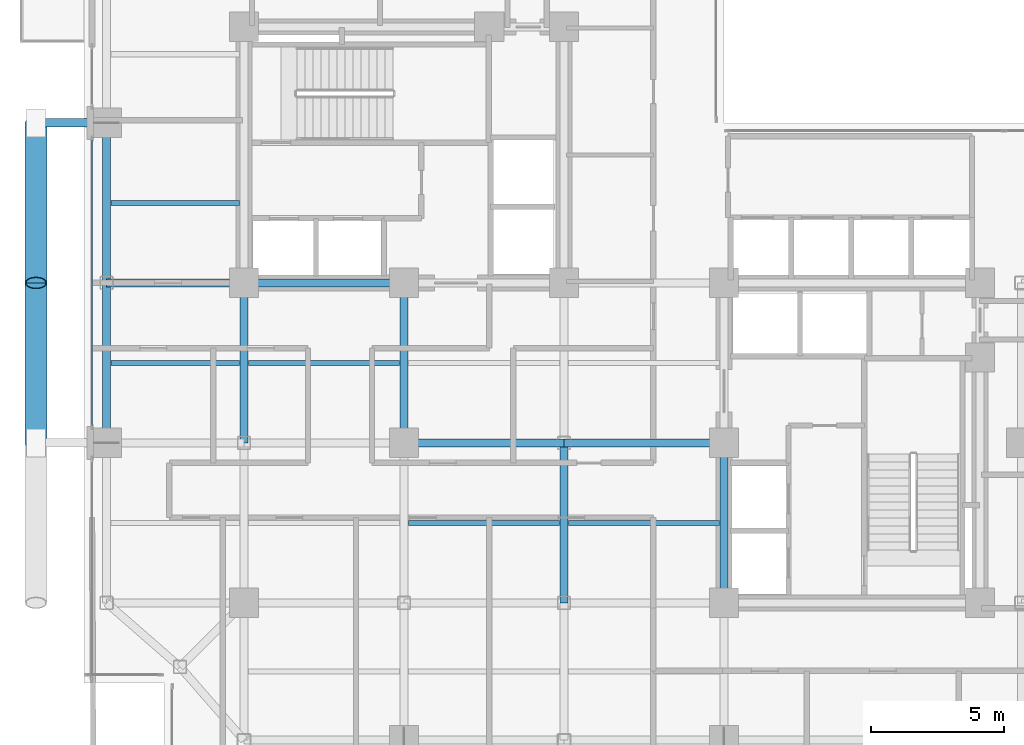
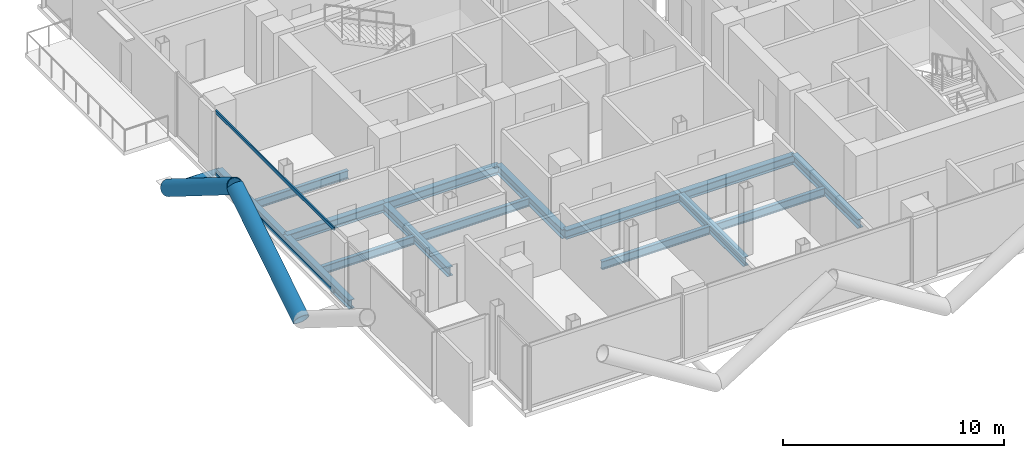
# One storey, part 6 of 28: 15 beams, 5 members, 1 element without a shape of its own.
"""IFC4 building model written with IfcOpenShell, lengths in metres."""

import ifcopenshell
import ifcopenshell.guid

model = None  # the IFC model being written
_history = None  # IfcOwnerHistory: only IFC2X3 demands one
_inside = {}  # id of a spatial element -> (the spatial element, [elements in it])
_under = {}  # id of a project, library or spatial element -> (it, [spatial elements below it])
_declared = {}  # id of a project -> (the project, [libraries it declares])
_typed = {}  # id of a type object -> (the type object, [elements of that type])
_made_of = {}  # id of a material, layer set ... -> (it, [elements and type objects made of it])


def new_model(schema):
    """Start an empty IFC model of exactly this schema.

    Asked for "IFC4X3", IfcOpenShell would pick the latest addendum, in which some entities
    have other attributes; the version numbers below select the first issue.
    IFC2X3 requires an IfcOwnerHistory on every rooted entity: one is made here for all.
    """
    global model, _history
    if schema == "IFC4X3":
        model = ifcopenshell.file(schema_version=(4, 3, 0, 0))
    else:
        model = ifcopenshell.file(schema=schema)
    _inside.clear()
    _under.clear()
    _declared.clear()
    _typed.clear()
    _made_of.clear()
    _history = None
    if model.schema == "IFC2X3":
        org = make("IfcOrganization", Name="unknown")
        user = make(
            "IfcPersonAndOrganization",
            ThePerson=make("IfcPerson", FamilyName="unknown"),
            TheOrganization=org,
        )
        app = make(
            "IfcApplication",
            ApplicationDeveloper=org,
            Version="unknown",
            ApplicationFullName="unknown",
            ApplicationIdentifier="unknown",
        )
        _history = make(
            "IfcOwnerHistory",
            OwningUser=user,
            OwningApplication=app,
            ChangeAction="ADDED",
            CreationDate=0,
        )
    return model


def make(cls, **values):
    """One entity of the class cls with the attributes given. An attribute that is None is left unset."""
    return model.create_entity(
        cls, **{name: value for name, value in values.items() if value is not None}
    )


def rooted(cls, **values):
    """An entity with a GlobalId (a new one), such as an element, a storey or a relation."""
    return make(cls, GlobalId=ifcopenshell.guid.new(), OwnerHistory=_history, **values)


def si_unit(unit_type, name, prefix=None):
    """IfcSIUnit, for example si_unit("LENGTHUNIT", "METRE", prefix="MILLI")."""
    return make("IfcSIUnit", UnitType=unit_type, Prefix=prefix, Name=name)


def assignment(units):
    """IfcUnitAssignment: the units of a project."""
    return None if units is None else make("IfcUnitAssignment", Units=units)


def point(xyz):
    """IfcCartesianPoint."""
    return None if xyz is None else make("IfcCartesianPoint", Coordinates=xyz)


def direction(xyz):
    """IfcDirection."""
    return None if xyz is None else make("IfcDirection", DirectionRatios=xyz)


def frame(location, z_axis=None, x_axis=None):
    """IfcAxis2Placement3D, a coordinate frame: its origin and axes. An axis left out is left unset."""
    return make(
        "IfcAxis2Placement3D",
        Location=point(location),
        Axis=direction(z_axis),
        RefDirection=direction(x_axis),
    )


def frame_2d(location, x_axis=None):
    """IfcAxis2Placement2D, a coordinate frame in the plane: its origin and x axis."""
    return make(
        "IfcAxis2Placement2D", Location=point(location), RefDirection=direction(x_axis)
    )


def origin():
    """The frame at (0, 0, 0) with its axes left unset."""
    return frame((0.0, 0.0, 0.0))


def origin_2d():
    """The frame at (0, 0) in the plane with its x axis left unset."""
    return frame_2d((0.0, 0.0))


def place(relative_to, where):
    """IfcLocalPlacement: puts the frame where relative to a parent placement (None: the world)."""
    return make(
        "IfcLocalPlacement", PlacementRelTo=relative_to, RelativePlacement=where
    )


def context(
    kind, dimensions, precision=None, world=None, true_north=None, identifier=None
):
    """IfcGeometricRepresentationContext, for example the 3D "Model" context."""
    return make(
        "IfcGeometricRepresentationContext",
        ContextIdentifier=identifier,
        ContextType=kind,
        CoordinateSpaceDimension=dimensions,
        Precision=precision,
        WorldCoordinateSystem=world,
        TrueNorth=true_north,
    )


def subcontext(parent, identifier, kind, view, scale=None):
    """IfcGeometricRepresentationSubContext, for example "Body" below "Model"."""
    return make(
        "IfcGeometricRepresentationSubContext",
        ContextIdentifier=identifier,
        ContextType=kind,
        ParentContext=parent,
        TargetScale=scale,
        TargetView=view,
    )


def project(units=None, contexts=None):
    """IfcProject with its units and contexts."""
    return rooted(
        "IfcProject",
        Name="project",
        RepresentationContexts=contexts,
        UnitsInContext=assignment(units),
    )


def spatial(cls, under=None, at=None, **own):
    """A site, building, storey or space (cls), placed at a placement, below another one or the project."""
    s = rooted(cls, ObjectPlacement=at, **own)
    if under is not None:
        _under.setdefault(under.id(), (under, []))[1].append(s)
    return s


def profile(cls, at=None, kind="AREA", **sizes):
    """A parametric profile (cls). Its sizes go by their IFC names, for example OverallWidth=200.0."""
    return make(cls, ProfileType=kind, Position=at, **sizes)


def hollow_rectangle(**sizes):
    """IfcRectangleHollowProfileDef."""
    return profile("IfcRectangleHollowProfileDef", **sizes)


def hollow_circle(**sizes):
    """IfcCircleHollowProfileDef."""
    return profile("IfcCircleHollowProfileDef", **sizes)


def i_section(**sizes):
    """IfcIShapeProfileDef."""
    return profile("IfcIShapeProfileDef", **sizes)


def extrude(swept, where, along, depth):
    """IfcExtrudedAreaSolid: the profile swept, set in the frame where, extruded along a direction by depth."""
    return make(
        "IfcExtrudedAreaSolid",
        SweptArea=swept,
        Position=where,
        ExtrudedDirection=direction(along),
        Depth=depth,
    )


def shape(context_of_items, identifier, shape_type, items):
    """IfcShapeRepresentation: the items that make up one representation, for example the "Body"."""
    return make(
        "IfcShapeRepresentation",
        ContextOfItems=context_of_items,
        RepresentationIdentifier=identifier,
        RepresentationType=shape_type,
        Items=items,
    )


def material(Name=None, Category=None):
    """IfcMaterial."""
    return make("IfcMaterial", Name=Name, Category=Category)


def layer(
    of_material, thickness, ventilated=None, Name=None, Category=None, Priority=None
):
    """IfcMaterialLayer: one layer of a wall or slab, of a material (None: an air gap)."""
    return make(
        "IfcMaterialLayer",
        Material=of_material,
        LayerThickness=thickness,
        IsVentilated=ventilated,
        Name=Name,
        Category=Category,
        Priority=Priority,
    )


def layer_set(layers, Name=None):
    """IfcMaterialLayerSet."""
    return make("IfcMaterialLayerSet", MaterialLayers=layers, LayerSetName=Name)


def material_profile(
    of_material, cross_section, Name=None, Category=None, Priority=None
):
    """IfcMaterialProfile: a cross section and its material."""
    return make(
        "IfcMaterialProfile",
        Name=Name,
        Material=of_material,
        Profile=cross_section,
        Priority=Priority,
        Category=Category,
    )


def profile_set(profiles, Name=None, composite=None):
    """IfcMaterialProfileSet."""
    return make(
        "IfcMaterialProfileSet",
        Name=Name,
        MaterialProfiles=profiles,
        CompositeProfile=composite,
    )


def made_of(thing, what):
    """Note that an element or type object is made of a material, layer set ...; save() writes the relation."""
    if what is not None:
        _made_of.setdefault(what.id(), (what, []))[1].append(thing)
    return thing


def type_object(cls, material=None, **own):
    """A type object (cls), such as IfcWallType, which elements share."""
    return made_of(rooted(cls, **own), material)


def element(
    cls,
    number,
    at=None,
    inside=None,
    cuts=None,
    type_object=None,
    material=None,
    context=None,
    identifier="Body",
    shape_type=None,
    held_by="IfcProductDefinitionShape",
    body=None,
    shapes=None,
    **own,
):
    """One element of the class cls, such as IfcWall. Its Tag is "e" and its number.

    at: its placement. inside: the storey or other place that contains it. cuts: it is an
    opening in that element (IfcRelVoidsElement). A single representation is given by context,
    identifier, shape_type and body (its items); several are given by shapes. held_by: the class
    of the entity that holds the representations. save() writes the other relations.
    """
    e = rooted(cls, Tag="e%d" % number, ObjectPlacement=at, **own)
    if body is not None:
        shapes = [shape(context, identifier, shape_type, body)]
    if shapes is not None:
        e.Representation = make(held_by, Representations=shapes)
    if inside is not None:
        _inside.setdefault(inside.id(), (inside, []))[1].append(e)
    if cuts is not None:
        rooted(
            "IfcRelVoidsElement", RelatingBuildingElement=cuts, RelatedOpeningElement=e
        )
    if type_object is not None:
        _typed.setdefault(type_object.id(), (type_object, []))[1].append(e)
    return made_of(e, material)


def aggregate(whole, parts):
    """IfcRelAggregates: a whole, such as a stair, and the parts it consists of."""
    return rooted("IfcRelAggregates", RelatingObject=whole, RelatedObjects=parts)


def save(model, path):
    """Write the relations noted so far, then the file.

    IfcRelAggregates (storeys below a building ...), IfcRelContainedInSpatialStructure (elements
    in a storey), IfcRelDefinesByType, IfcRelAssociatesMaterial and IfcRelDeclares: one each for
    every whole, place, type object, material and project.
    """
    for whole, parts in _under.values():
        aggregate(whole, parts)
    for where, things in _inside.values():
        rooted(
            "IfcRelContainedInSpatialStructure",
            RelatedElements=things,
            RelatingStructure=where,
        )
    for kind, things in _typed.values():
        rooted("IfcRelDefinesByType", RelatedObjects=things, RelatingType=kind)
    for what, things in _made_of.values():
        rooted("IfcRelAssociatesMaterial", RelatedObjects=things, RelatingMaterial=what)
    for by, libraries in _declared.values():
        rooted("IfcRelDeclares", RelatingContext=by, RelatedDefinitions=libraries)
    model.write(path)


model = new_model("IFC4")

# Units and contexts
model_context = context("Model", 3, precision=1e-05, world=origin(), true_north=direction((0.0, 1.0)))
body_context = subcontext(model_context, "Body", "Model", "MODEL_VIEW")
ifc_project = project(units=[si_unit("LENGTHUNIT", "METRE"), si_unit("AREAUNIT", "SQUARE_METRE"), si_unit("VOLUMEUNIT", "CUBIC_METRE"), si_unit("PLANEANGLEUNIT", "RADIAN"), si_unit("MASSUNIT", "GRAM", prefix="KILO"), si_unit("THERMODYNAMICTEMPERATUREUNIT", "KELVIN"), si_unit("POWERUNIT", "WATT")], contexts=[model_context])

# Site, building, storey
site_placement = place(None, origin())
site = spatial("IfcSite", under=ifc_project, at=site_placement, CompositionType="ELEMENT")
building_placement = place(site_placement, origin())
building = spatial("IfcBuilding", under=site, at=building_placement, Name="Svarakhadi Broadcast Tower", CompositionType="ELEMENT")
storey_placement = place(building_placement, frame((0.0, 0.0, 123.14990234375)))
storey = spatial("IfcBuildingStorey", under=building, at=storey_placement, Name="L29", CompositionType="ELEMENT", Elevation=123.14990234375)

# Beams
ifc_material_1 = material(Name="Steel S355J2 (IS 2062 E350C)", Category="steel")
ifc_material_profile_1 = material_profile(ifc_material_1, i_section(OverallWidth=0.18994140625, OverallDepth=0.449951171875, WebThickness=0.009521484375, FlangeThickness=0.0146484375, FilletRadius=0.02099609375, at=origin_2d()), Name="NPB 450x190x78")
ifc_profile_set_1 = profile_set([ifc_material_profile_1], Name="Steel S355J2 (IS 2062 E350C)")
beam_type_1 = type_object("IfcBeamType", Name="Beam_NPB450", PredefinedType="BEAM", material=ifc_profile_set_1)
for number, where, z_axis, x_axis, name in (
    (1, (1.010009765625, 15.0, -0.449951171875), (1.0, 0.0, 0.0), (0.0, 1.0, 0.0), "L29 Secondary Composite Beam SB002"),
    (2, (1.010009765625, 21.0, -0.449951171875), (1.0, 0.0, 0.0), (0.0, 1.0, 0.0), "L29 Secondary Composite Beam SB003"),
):
    element("IfcBeam", number, at=place(storey_placement, frame(where, z_axis=z_axis, x_axis=x_axis)), inside=storey, type_object=beam_type_1, Name=name, PredefinedType="BEAM", context=body_context, shape_type="SweptSolid", body=[
        extrude(i_section(OverallWidth=0.18994140625, OverallDepth=0.449951171875, WebThickness=0.009521484375, FlangeThickness=0.0146484375, FilletRadius=0.02099609375, at=origin_2d()), origin(), (0.0, 0.0, 1.0), 4.830078125),
    ])
for number, where, z_axis, x_axis, name in (
    (3, (6.159912109375, 15.0, -0.449951171875), (1.0, 0.0, 0.0), (0.0, 1.0, 0.0), "L29 Secondary Composite Beam SB008"),
    (4, (12.159912109375, 9.0, -0.449951171875), (1.0, 0.0, 0.0), (0.0, 1.0, 0.0), "L29 Secondary Composite Beam SB012"),
    (5, (18.159912109375, 9.0, -0.449951171875), (1.0, 0.0, 0.0), (0.0, 1.0, 0.0), "L29 Secondary Composite Beam SB017"),
):
    element("IfcBeam", number, at=place(storey_placement, frame(where, z_axis=z_axis, x_axis=x_axis)), inside=storey, type_object=beam_type_1, Name=name, PredefinedType="BEAM", context=body_context, shape_type="SweptSolid", body=[
        extrude(i_section(OverallWidth=0.18994140625, OverallDepth=0.449951171875, WebThickness=0.009521484375, FlangeThickness=0.0146484375, FilletRadius=0.02099609375, at=origin_2d()), origin(), (0.0, 0.0, 1.0), 5.68017578125),
    ])

# Curtain wall, members
ifc_material_2 = material(Name="Anodised Bronze Aluminium AA 6063-T6", Category="aluminium")
ifc_layer = layer(ifc_material_2, 0.199951171875)
ifc_layer_set = layer_set([ifc_layer], Name="Anodised Bronze Aluminium AA 6063-T6")
curtain_wall_type = type_object("IfcCurtainWallType", Name="CW_Sys_03", PredefinedType="NOTDEFINED", material=ifc_layer_set)
curtain_wall_placement = place(storey_placement, origin())
curtain_wall = element("IfcCurtainWall", 6, at=curtain_wall_placement, inside=storey, type_object=curtain_wall_type, Name="L29 West Curtain Wall 02 Bay 2", PredefinedType="NOTDEFINED")
ifc_material_profile_2 = material_profile(ifc_material_2, hollow_rectangle(XDim=0.070068359375, YDim=0.18505859375, WallThickness=0.0048828125, at=origin_2d()), Name="ALU TRANSOM 185x70x5")
ifc_profile_set_2 = profile_set([ifc_material_profile_2], Name="Anodised Bronze Aluminium AA 6063-T6")
member_type_1 = type_object("IfcMemberType", Name="CW_Sys_03_Trn", PredefinedType="USERDEFINED", material=ifc_profile_set_2)
member_1_placement = place(storey_placement, frame((0.300048828125, 12.64501953125, 0.03515625), z_axis=(0.0, 1.0, 0.0), x_axis=(-1.0, 0.0, 0.0)))
member_1 = element("IfcMember", 7, at=member_1_placement, type_object=member_type_1, Name="CW-03 transom 1.1", ObjectType="TRANSOM", PredefinedType="USERDEFINED", context=body_context, shape_type="SweptSolid", body=[
    extrude(hollow_rectangle(XDim=0.070068359375, YDim=0.18505859375, WallThickness=0.0048828125, at=origin_2d()), origin(), (0.0, 0.0, 1.0), 10.7099609375),
])
member_2_placement = place(storey_placement, frame((0.300048828125, 12.64501953125, 3.489990234375), z_axis=(0.0, 1.0, 0.0), x_axis=(-1.0, 0.0, 0.0)))
member_2 = element("IfcMember", 8, at=member_2_placement, type_object=member_type_1, Name="CW-03 transom 1.2", ObjectType="TRANSOM", PredefinedType="USERDEFINED", context=body_context, shape_type="SweptSolid", body=[
    extrude(hollow_rectangle(XDim=0.070068359375, YDim=0.18505859375, WallThickness=0.0048828125, at=origin_2d()), origin(), (0.0, 0.0, 1.0), 10.7099609375),
])
aggregate(curtain_wall, [member_1, member_2])

# Members
ifc_material_3 = material(Name="Steel S460ML (IS 2062 E450BR)", Category="steel")
ifc_material_profile_3 = material_profile(ifc_material_3, hollow_circle(Radius=0.406494140625, WallThickness=0.0400390625, at=origin_2d()), Name="CHS 813x40")
ifc_profile_set_3 = profile_set([ifc_material_profile_3], Name="Steel S460ML (IS 2062 E450BR)")
member_type_2 = type_object("IfcMemberType", Name="Exo_Brace_CHS813", PredefinedType="BRACE", material=ifc_profile_set_3)
for number, where, z_axis, x_axis, name in (
    (9, (-1.800048828125, 12.0, -0.386962890625), (0.0, 0.847998304005, 0.529998940003), (-1.0, 0.0, 0.0), "L29 Exposed Bronze Exoskeleton Diagonal W06"),
    (10, (-1.800048828125, 24.0, -0.386962890625), (0.0, -0.847998304005, 0.529998940003), (1.0, 0.0, 0.0), "L29 Exposed Bronze Exoskeleton Diagonal W07"),
):
    element("IfcMember", number, at=place(storey_placement, frame(where, z_axis=z_axis, x_axis=x_axis)), inside=storey, type_object=member_type_2, Name=name, PredefinedType="BRACE", context=body_context, shape_type="SweptSolid", body=[
        extrude(hollow_circle(Radius=0.406494140625, WallThickness=0.0400390625, at=origin_2d()), origin(), (0.0, 0.0, 1.0), 7.075439453125),
    ])
ifc_material_profile_4 = material_profile(ifc_material_3, hollow_circle(Radius=0.161865234375, WallThickness=0.01611328125, at=origin_2d()), Name="CHS 323.9x16")
ifc_profile_set_4 = profile_set([ifc_material_profile_4], Name="Steel S460ML (IS 2062 E450BR)")
member_type_3 = type_object("IfcMemberType", Name="Exo_Radial_Strut_Z2", PredefinedType="STRUT", material=ifc_profile_set_4)
member_3_placement = place(storey_placement, frame((-1.800048828125, 24.0, -0.386962890625), z_axis=(1.0, 0.0, 0.0), x_axis=(0.0, 1.0, 0.0)))
element("IfcMember", 11, at=member_3_placement, inside=storey, type_object=member_type_3, Name="L29 Exoskeleton Radial Tie Strut W04", PredefinedType="STRUT", context=body_context, shape_type="SweptSolid", body=[
    extrude(hollow_circle(Radius=0.161865234375, WallThickness=0.01611328125, at=origin_2d()), origin(), (0.0, 0.0, 1.0), 2.650146484375),
])

# Beams
ifc_material_profile_5 = material_profile(ifc_material_1, i_section(OverallWidth=0.300048828125, OverallDepth=0.5, WebThickness=0.014404296875, FlangeThickness=0.028076171875, FilletRadius=0.027099609375, at=origin_2d()), Name="WPB 500x300x187")
ifc_profile_set_5 = profile_set([ifc_material_profile_5], Name="Steel S355J2 (IS 2062 E350C)")
beam_type_2 = type_object("IfcBeamType", Name="Girder_WPB500", PredefinedType="USERDEFINED", material=ifc_profile_set_5)
for number, where, z_axis, x_axis, name in (
    (12, (12.0, 12.0, -0.474853515625), (1.0, 0.0, 0.0), (0.0, 1.0, 0.0), "L29 Primary E-W Girder G019"),
    (13, (18.0, 12.0, -0.474853515625), (1.0, 0.0, 0.0), (0.0, 1.0, 0.0), "L29 Primary E-W Girder G020"),
):
    element("IfcBeam", number, at=place(storey_placement, frame(where, z_axis=z_axis, x_axis=x_axis)), inside=storey, type_object=beam_type_2, Name=name, ObjectType="GIRDER", PredefinedType="USERDEFINED", context=body_context, shape_type="SweptSolid", body=[
        extrude(i_section(OverallWidth=0.300048828125, OverallDepth=0.5, WebThickness=0.014404296875, FlangeThickness=0.028076171875, FilletRadius=0.027099609375, at=origin_2d()), origin(), (0.0, 0.0, 1.0), 6.0),
    ])
beam_placement = place(storey_placement, frame((0.85009765625, 18.0, -0.474853515625), z_axis=(1.0, 0.0, 0.0), x_axis=(0.0, 1.0, 0.0)))
element("IfcBeam", 14, at=beam_placement, inside=storey, type_object=beam_type_2, Name="L29 Primary E-W Girder G023", ObjectType="GIRDER", PredefinedType="USERDEFINED", context=body_context, shape_type="SweptSolid", body=[
    extrude(i_section(OverallWidth=0.300048828125, OverallDepth=0.5, WebThickness=0.014404296875, FlangeThickness=0.028076171875, FilletRadius=0.027099609375, at=origin_2d()), origin(), (0.0, 0.0, 1.0), 5.14990234375),
])
for number, where, z_axis, x_axis, name in (
    (15, (6.0, 18.0, -0.474853515625), (1.0, 0.0, 0.0), (0.0, 1.0, 0.0), "L29 Primary E-W Girder G024"),
    (16, (0.85009765625, 12.0, -0.474853515625), (0.0, 1.0, 0.0), (-1.0, 0.0, 0.0), "L29 Primary N-S Girder G041"),
    (17, (0.85009765625, 18.0, -0.474853515625), (0.0, 1.0, 0.0), (-1.0, 0.0, 0.0), "L29 Primary N-S Girder G042"),
    (18, (6.0, 12.0, -0.474853515625), (0.0, 1.0, 0.0), (-1.0, 0.0, 0.0), "L29 Primary N-S Girder G047"),
    (19, (12.0, 12.0, -0.474853515625), (0.0, 1.0, 0.0), (-1.0, 0.0, 0.0), "L29 Primary N-S Girder G053"),
    (20, (18.0, 6.0, -0.474853515625), (0.0, 1.0, 0.0), (-1.0, 0.0, 0.0), "L29 Primary N-S Girder G057"),
    (21, (24.0, 6.0, -0.474853515625), (0.0, 1.0, 0.0), (-1.0, 0.0, 0.0), "L29 Primary N-S Girder G063"),
):
    element("IfcBeam", number, at=place(storey_placement, frame(where, z_axis=z_axis, x_axis=x_axis)), inside=storey, type_object=beam_type_2, Name=name, ObjectType="GIRDER", PredefinedType="USERDEFINED", context=body_context, shape_type="SweptSolid", body=[
        extrude(i_section(OverallWidth=0.300048828125, OverallDepth=0.5, WebThickness=0.014404296875, FlangeThickness=0.028076171875, FilletRadius=0.027099609375, at=origin_2d()), origin(), (0.0, 0.0, 1.0), 6.0),
    ])

save(model, "model.ifc")
